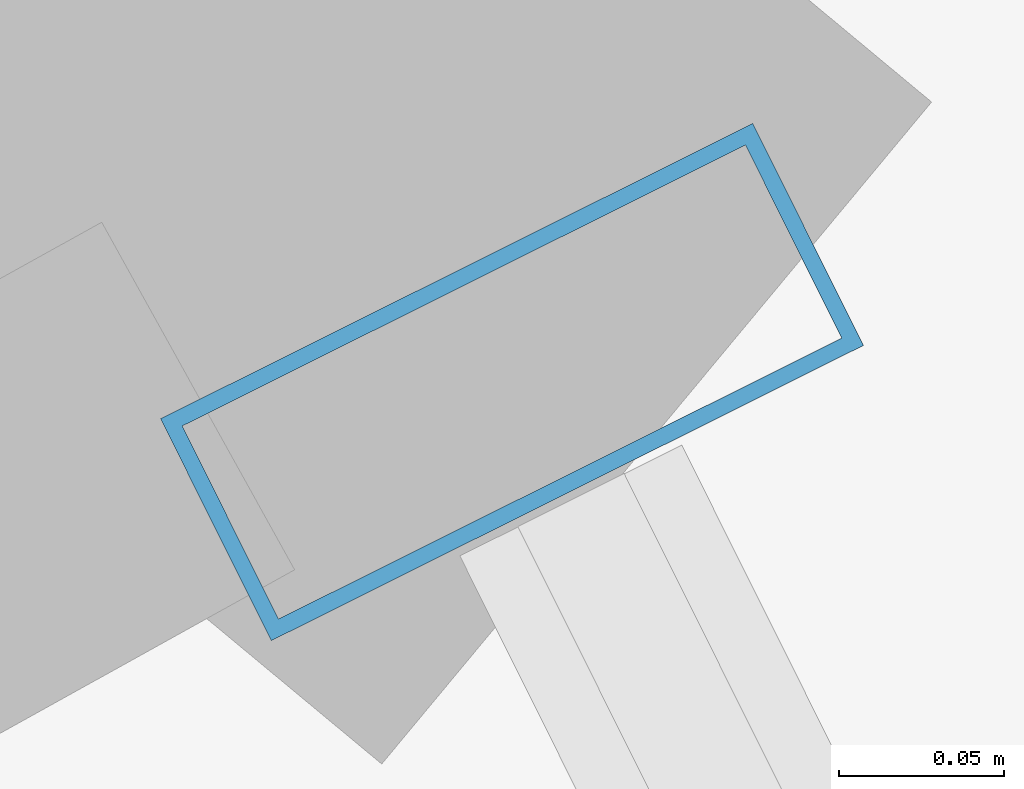
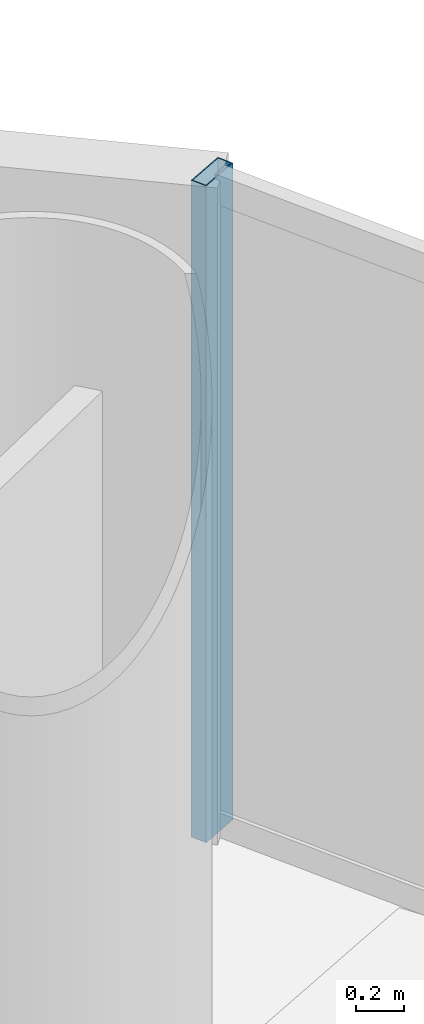
# One storey, part 19 of 28: 1 member, 1 element without a shape of its own.
"""IFC4 building model written with IfcOpenShell, lengths in metres."""

from ifc_helpers import new_model, si_unit, direction, frame, origin, origin_2d, place, context, subcontext, project, spatial, hollow_rectangle, extrude, source, transform, mapped, material, material_profile, profile_set, type_object, element, aggregate, save


model = new_model("IFC4")

# Units and contexts
model_context = context("Model", 3, precision=1e-05, world=origin(), true_north=direction((-0.2419218956, 0.970295726276)))
body_context = subcontext(model_context, "Body", "Model", "MODEL_VIEW")
ifc_project = project(units=[si_unit("LENGTHUNIT", "METRE"), si_unit("AREAUNIT", "SQUARE_METRE"), si_unit("VOLUMEUNIT", "CUBIC_METRE"), si_unit("PLANEANGLEUNIT", "RADIAN"), si_unit("MASSUNIT", "GRAM", prefix="KILO")], contexts=[model_context])

# Site, building, storey
site_placement = place(None, origin())
site = spatial("IfcSite", under=ifc_project, at=site_placement, CompositionType="ELEMENT")
building_placement = place(site_placement, origin())
building = spatial("IfcBuilding", under=site, at=building_placement, Name="Cobrevalo Terracotta Tower", CompositionType="ELEMENT")
storey_placement = place(building_placement, frame((0.0, 0.0, 108.60009765625)))
storey = spatial("IfcBuildingStorey", under=building, at=storey_placement, Name="L28", CompositionType="ELEMENT", Elevation=108.60009765625)

# Curtain wall, member
ifc_material = material(Name="Anodized aluminium", Category="aluminium")
curtain_wall_type = type_object("IfcCurtainWallType", Name="Lower-tower unitised acoustic low-E curtain wall CW-U1", PredefinedType="NOTDEFINED", material=ifc_material)
curtain_wall_placement = place(storey_placement, origin())
curtain_wall = element("IfcCurtainWall", 1, at=curtain_wall_placement, inside=storey, type_object=curtain_wall_type, Name="L28 curtain wall CW-L28-S01", PredefinedType="NOTDEFINED")
ifc_material_profile = material_profile(ifc_material, hollow_rectangle(XDim=0.074951171875, YDim=0.199951171875, WallThickness=0.0048828125, at=origin_2d()), Name="CWM 75x200")
ifc_profile_set = profile_set([ifc_material_profile], Name="Anodized aluminium")
member_type = type_object("IfcMemberType", Name="Lower/mid tower unitised mullion 75x200", PredefinedType="MULLION", material=ifc_profile_set)
shared_shape = source(origin(), body_context, "Body", "SweptSolid", [
    extrude(hollow_rectangle(XDim=0.074951171875, YDim=0.199951171875, WallThickness=0.0048828125, at=origin_2d()), origin(), (0.0, 0.0, 1.0), 3.324951171875),
])
member_placement = place(storey_placement, frame((60.110107421875, 39.025634765625, 0.0), z_axis=(0.0, 0.0, 1.0), x_axis=(-0.446260290227, 0.894903208937, 0.0)))
member = element("IfcMember", 2, at=member_placement, type_object=member_type, Name="CW-L28-S01 vertical mullion 03", PredefinedType="MULLION", context=body_context, shape_type="MappedRepresentation", body=[
    mapped(shared_shape, transform((0.0, 0.0, 0.0), scale=1.0)),
])
aggregate(curtain_wall, [member])

save(model, "model.ifc")
